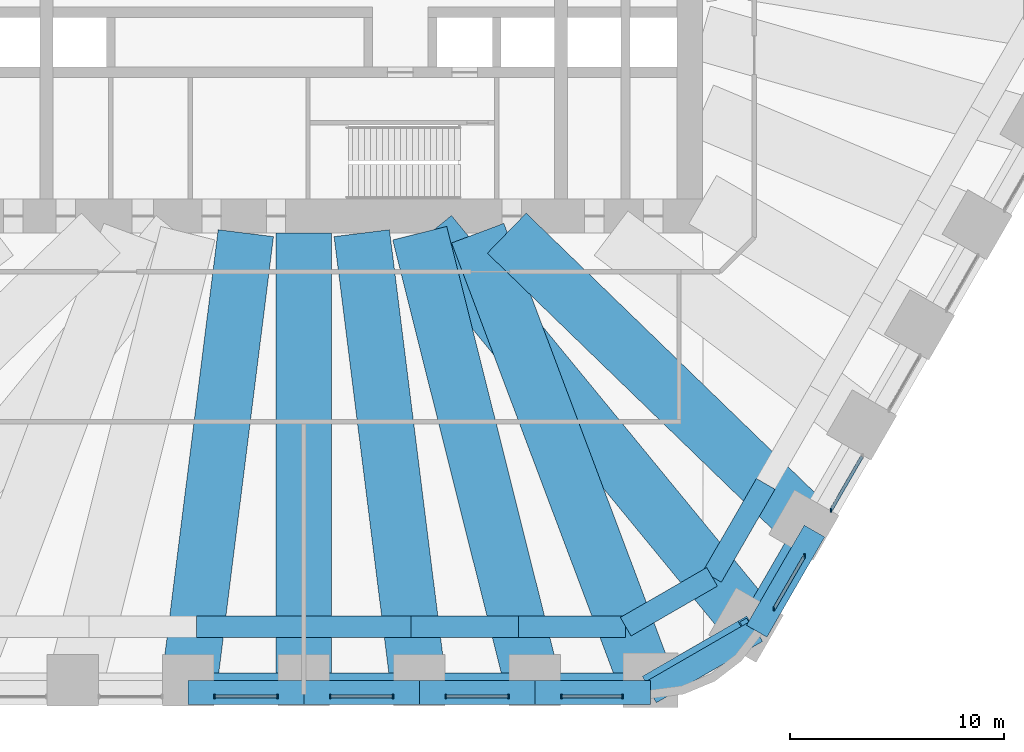
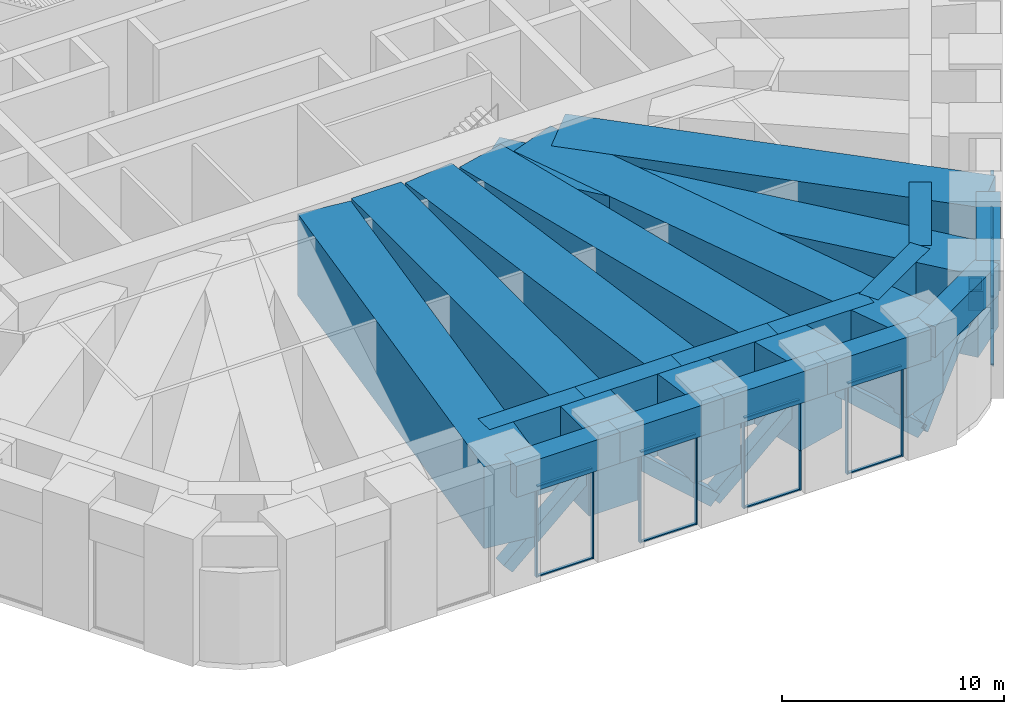
# One storey, part 4 of 17: 29 members, 19 beams, 6 elements without a shape of their own.
"""IFC4 building model written with IfcOpenShell, lengths in metres."""

from ifc_helpers import new_model, si_unit, direction, frame, origin, origin_2d, place, context, subcontext, project, spatial, rectangle, hollow_rectangle, extrude, material, material_profile, profile_set, type_object, element, aggregate, save


model = new_model("IFC4")

# Units and contexts
model_context = context("Model", 3, precision=1e-05, world=origin(), true_north=direction((0.0, 1.0)))
body_context = subcontext(model_context, "Body", "Model", "MODEL_VIEW")
ifc_project = project(units=[si_unit("LENGTHUNIT", "METRE"), si_unit("AREAUNIT", "SQUARE_METRE"), si_unit("VOLUMEUNIT", "CUBIC_METRE"), si_unit("PLANEANGLEUNIT", "RADIAN"), si_unit("MASSUNIT", "GRAM", prefix="KILO")], contexts=[model_context])

# Site, building, storey
site_placement = place(None, origin())
site = spatial("IfcSite", under=ifc_project, at=site_placement, CompositionType="ELEMENT")
building_placement = place(site_placement, origin())
building = spatial("IfcBuilding", under=site, at=building_placement, Name="Tarfa Lantern Tower", CompositionType="ELEMENT")
storey_placement = place(building_placement, frame((0.0, 0.0, 107.5)))
storey = spatial("IfcBuildingStorey", under=building, at=storey_placement, Name="L24", CompositionType="ELEMENT", Elevation=107.5)

# Members
ifc_material_1 = material(Name="Steel S460M", Category="steel")
ifc_material_profile_1 = material_profile(ifc_material_1, hollow_rectangle(XDim=0.699951171875, YDim=0.699951171875, WallThickness=0.080078125, at=origin_2d()), Name="BOX700x700x80")
ifc_profile_set_1 = profile_set([ifc_material_profile_1], Name="Steel S460M")
member_type_1 = type_object("IfcMemberType", Name="BT1 BOX700x700x80", PredefinedType="BRACE", material=ifc_profile_set_1)
for number, where, z_axis, x_axis, name in (
    (1, (-5.388671875, -33.14990234375, 0.60009765625), (0.746729497416, 0.0, 0.665127850634), (0.0, 1.0, 0.0), "Belt truss diagonal 31"),
    (2, (5.388671875, -33.14990234375, 0.60009765625), (-0.746729497416, 0.0, 0.665127850634), (0.0, -1.0, 0.0), "Belt truss diagonal 32"),
):
    element("IfcMember", number, at=place(storey_placement, frame(where, z_axis=z_axis, x_axis=x_axis)), inside=storey, type_object=member_type_1, Name=name, PredefinedType="BRACE", context=body_context, shape_type="SweptSolid", body=[
        extrude(hollow_rectangle(XDim=0.699951171875, YDim=0.699951171875, WallThickness=0.080078125, at=origin_2d()), origin(), (0.0, 0.0, 1.0), 7.21630859375),
    ])
member_1_placement = place(storey_placement, frame((5.388671875, -33.14990234375, 0.60009765625), z_axis=(0.746714529948, 0.0, 0.665144654015), x_axis=(0.0, 1.0, 0.0)))
element("IfcMember", 3, at=member_1_placement, inside=storey, type_object=member_type_1, Name="Belt truss diagonal 33", PredefinedType="BRACE", context=body_context, shape_type="SweptSolid", body=[
    extrude(hollow_rectangle(XDim=0.699951171875, YDim=0.699951171875, WallThickness=0.080078125, at=origin_2d()), origin(), (0.0, 0.0, 1.0), 7.216064453125),
])
member_2_placement = place(storey_placement, frame((16.165771484375, -33.14990234375, 0.60009765625), z_axis=(-0.746729497416, 0.0, 0.665127850634), x_axis=(0.0, -1.0, 0.0)))
element("IfcMember", 4, at=member_2_placement, inside=storey, type_object=member_type_1, Name="Belt truss diagonal 34", PredefinedType="BRACE", context=body_context, shape_type="SweptSolid", body=[
    extrude(hollow_rectangle(XDim=0.699951171875, YDim=0.699951171875, WallThickness=0.080078125, at=origin_2d()), origin(), (0.0, 0.0, 1.0), 7.21630859375),
])
member_3_placement = place(storey_placement, frame((16.165771484375, -33.14990234375, 0.60009765625), z_axis=(0.633529001799, 0.365766935733, 0.681803162654), x_axis=(-0.499998765615, 0.866026116456, 0.0)))
element("IfcMember", 5, at=member_3_placement, inside=storey, type_object=member_type_1, Name="Belt truss diagonal 35", PredefinedType="BRACE", context=body_context, shape_type="SweptSolid", body=[
    extrude(hollow_rectangle(XDim=0.699951171875, YDim=0.699951171875, WallThickness=0.080078125, at=origin_2d()), origin(), (0.0, 0.0, 1.0), 7.039794921875),
])
member_4_placement = place(storey_placement, frame((23.320068359375, -25.908447265625, 0.60009765625), z_axis=(-0.373372204356, -0.64666874901, 0.665141132444), x_axis=(0.866015065331, -0.500017906299, 0.0)))
element("IfcMember", 6, at=member_4_placement, inside=storey, type_object=member_type_1, Name="Belt truss diagonal 36", PredefinedType="BRACE", context=body_context, shape_type="SweptSolid", body=[
    extrude(hollow_rectangle(XDim=0.699951171875, YDim=0.699951171875, WallThickness=0.080078125, at=origin_2d()), origin(), (0.0, 0.0, 1.0), 7.21630859375),
])

# Curtain wall, members
ifc_material_2 = material(Name="Aluminium framed curtain wall", Category="aluminium")
curtain_wall_type = type_object("IfcCurtainWallType", Name="CW6 LOUVRED SCREEN WALL 5000", PredefinedType="USERDEFINED", material=ifc_material_2)
curtain_wall_1_placement = place(storey_placement, origin())
curtain_wall_1 = element("IfcCurtainWall", 7, at=curtain_wall_1_placement, inside=storey, type_object=curtain_wall_type, Name="CW6 S L24", ObjectType="CURTAIN WALL", PredefinedType="USERDEFINED")
ifc_material_3 = material(Name="Aluminium mullion", Category="aluminium")
ifc_material_profile_2 = material_profile(ifc_material_3, rectangle(XDim=0.06494140625, YDim=0.199951171875, at=origin_2d()), Name="AL MULLION 65x200")
ifc_profile_set_2 = profile_set([ifc_material_profile_2], Name="Aluminium mullion")
member_type_2 = type_object("IfcMemberType", Name="CWM1 MULLION 65x200", PredefinedType="MULLION", material=ifc_profile_set_2)
member_5_placement = place(storey_placement, frame((-4.156005859375, -33.89990234375, 0.0), z_axis=(0.0, 0.0, 1.0), x_axis=(1.0, 0.0, 0.0)))
member_5 = element("IfcMember", 8, at=member_5_placement, type_object=member_type_2, Name="CW6 mullion 1", PredefinedType="MULLION", context=body_context, shape_type="SweptSolid", body=[
    extrude(rectangle(XDim=0.06494140625, YDim=0.199951171875, at=origin_2d()), origin(), (0.0, 0.0, 1.0), 5.0),
])
member_6_placement = place(storey_placement, frame((-1.232421875, -33.89990234375, 0.0), z_axis=(0.0, 0.0, 1.0), x_axis=(1.0, 0.0, 0.0)))
member_6 = element("IfcMember", 9, at=member_6_placement, type_object=member_type_2, Name="CW6 mullion 2", PredefinedType="MULLION", context=body_context, shape_type="SweptSolid", body=[
    extrude(rectangle(XDim=0.06494140625, YDim=0.199951171875, at=origin_2d()), origin(), (0.0, 0.0, 1.0), 5.0),
])

curtain_wall_2_placement = place(storey_placement, origin())
curtain_wall_2 = element("IfcCurtainWall", 10, at=curtain_wall_2_placement, inside=storey, type_object=curtain_wall_type, Name="CW6 S L24", ObjectType="CURTAIN WALL", PredefinedType="USERDEFINED")
member_7_placement = place(storey_placement, frame((1.232421875, -33.89990234375, 0.0), z_axis=(0.0, 0.0, 1.0), x_axis=(1.0, 0.0, 0.0)))
member_7 = element("IfcMember", 11, at=member_7_placement, type_object=member_type_2, Name="CW6 mullion 1", PredefinedType="MULLION", context=body_context, shape_type="SweptSolid", body=[
    extrude(rectangle(XDim=0.06494140625, YDim=0.199951171875, at=origin_2d()), origin(), (0.0, 0.0, 1.0), 5.0),
])
member_8_placement = place(storey_placement, frame((4.156005859375, -33.89990234375, 0.0), z_axis=(0.0, 0.0, 1.0), x_axis=(1.0, 0.0, 0.0)))
member_8 = element("IfcMember", 12, at=member_8_placement, type_object=member_type_2, Name="CW6 mullion 2", PredefinedType="MULLION", context=body_context, shape_type="SweptSolid", body=[
    extrude(rectangle(XDim=0.06494140625, YDim=0.199951171875, at=origin_2d()), origin(), (0.0, 0.0, 1.0), 5.0),
])

curtain_wall_3_placement = place(storey_placement, origin())
curtain_wall_3 = element("IfcCurtainWall", 13, at=curtain_wall_3_placement, inside=storey, type_object=curtain_wall_type, Name="CW6 S L24", ObjectType="CURTAIN WALL", PredefinedType="USERDEFINED")
member_9_placement = place(storey_placement, frame((6.62109375, -33.89990234375, 0.0), z_axis=(0.0, 0.0, 1.0), x_axis=(1.0, 0.0, 0.0)))
member_9 = element("IfcMember", 14, at=member_9_placement, type_object=member_type_2, Name="CW6 mullion 1", PredefinedType="MULLION", context=body_context, shape_type="SweptSolid", body=[
    extrude(rectangle(XDim=0.06494140625, YDim=0.199951171875, at=origin_2d()), origin(), (0.0, 0.0, 1.0), 5.0),
])
member_10_placement = place(storey_placement, frame((9.544677734375, -33.89990234375, 0.0), z_axis=(0.0, 0.0, 1.0), x_axis=(1.0, 0.0, 0.0)))
member_10 = element("IfcMember", 15, at=member_10_placement, type_object=member_type_2, Name="CW6 mullion 2", PredefinedType="MULLION", context=body_context, shape_type="SweptSolid", body=[
    extrude(rectangle(XDim=0.06494140625, YDim=0.199951171875, at=origin_2d()), origin(), (0.0, 0.0, 1.0), 5.0),
])

curtain_wall_4_placement = place(storey_placement, origin())
curtain_wall_4 = element("IfcCurtainWall", 16, at=curtain_wall_4_placement, inside=storey, type_object=curtain_wall_type, Name="CW6 S L24", ObjectType="CURTAIN WALL", PredefinedType="USERDEFINED")
member_11_placement = place(storey_placement, frame((12.009765625, -33.89990234375, 0.0), z_axis=(0.0, 0.0, 1.0), x_axis=(1.0, 0.0, 0.0)))
member_11 = element("IfcMember", 17, at=member_11_placement, type_object=member_type_2, Name="CW6 mullion 1", PredefinedType="MULLION", context=body_context, shape_type="SweptSolid", body=[
    extrude(rectangle(XDim=0.06494140625, YDim=0.199951171875, at=origin_2d()), origin(), (0.0, 0.0, 1.0), 5.0),
])
member_12_placement = place(storey_placement, frame((14.8583984375, -33.89990234375, 0.0), z_axis=(0.0, 0.0, 1.0), x_axis=(1.0, 0.0, 0.0)))
member_12 = element("IfcMember", 18, at=member_12_placement, type_object=member_type_2, Name="CW6 mullion 2", PredefinedType="MULLION", context=body_context, shape_type="SweptSolid", body=[
    extrude(rectangle(XDim=0.06494140625, YDim=0.199951171875, at=origin_2d()), origin(), (0.0, 0.0, 1.0), 5.0),
])

curtain_wall_5_placement = place(storey_placement, origin())
curtain_wall_5 = element("IfcCurtainWall", 19, at=curtain_wall_5_placement, inside=storey, type_object=curtain_wall_type, Name="CW6 SE L24", ObjectType="CURTAIN WALL", PredefinedType="USERDEFINED")
member_13_placement = place(storey_placement, frame((21.92919921875, -29.817626953125, 0.0), z_axis=(0.0, 0.0, 1.0), x_axis=(1.0, 0.0, 0.0)))
member_13 = element("IfcMember", 20, at=member_13_placement, type_object=member_type_2, Name="CW6 mullion 1", PredefinedType="MULLION", context=body_context, shape_type="SweptSolid", body=[
    extrude(rectangle(XDim=0.06494140625, YDim=0.199951171875, at=origin_2d()), origin(), (0.0, 0.0, 1.0), 5.0),
])
member_14_placement = place(storey_placement, frame((23.353515625, -27.350830078125, 0.0), z_axis=(0.0, 0.0, 1.0), x_axis=(1.0, 0.0, 0.0)))
member_14 = element("IfcMember", 21, at=member_14_placement, type_object=member_type_2, Name="CW6 mullion 2", PredefinedType="MULLION", context=body_context, shape_type="SweptSolid", body=[
    extrude(rectangle(XDim=0.06494140625, YDim=0.199951171875, at=origin_2d()), origin(), (0.0, 0.0, 1.0), 5.0),
])

# Curtain wall, member
curtain_wall_6_placement = place(storey_placement, origin())
curtain_wall_6 = element("IfcCurtainWall", 22, at=curtain_wall_6_placement, inside=storey, type_object=curtain_wall_type, Name="CW6 SE L24", ObjectType="CURTAIN WALL", PredefinedType="USERDEFINED")
member_15_placement = place(storey_placement, frame((24.5859375, -25.216064453125, 0.0), z_axis=(0.0, 0.0, 1.0), x_axis=(1.0, 0.0, 0.0)))
member_15 = element("IfcMember", 23, at=member_15_placement, type_object=member_type_2, Name="CW6 mullion 1", PredefinedType="MULLION", context=body_context, shape_type="SweptSolid", body=[
    extrude(rectangle(XDim=0.06494140625, YDim=0.199951171875, at=origin_2d()), origin(), (0.0, 0.0, 1.0), 5.0),
])

# Member
ifc_material_4 = material(Name="Aluminium transom", Category="aluminium")
ifc_material_profile_3 = material_profile(ifc_material_4, rectangle(XDim=0.14990234375, YDim=0.06494140625, at=origin_2d()), Name="AL TRANSOM 150x65")
ifc_profile_set_3 = profile_set([ifc_material_profile_3], Name="Aluminium transom")
member_type_3 = type_object("IfcMemberType", Name="CWT1 TRANSOM 150x65", PredefinedType="USERDEFINED", material=ifc_profile_set_3)
member_16_placement = place(storey_placement, frame((-4.12353515625, -33.89990234375, 0.032470703125), z_axis=(1.0, 0.0, 0.0), x_axis=(0.0, 1.0, 0.0)))
member_16 = element("IfcMember", 24, at=member_16_placement, type_object=member_type_3, Name="CW6 transom 1.1", ObjectType="TRANSOM", PredefinedType="USERDEFINED", context=body_context, shape_type="SweptSolid", body=[
    extrude(rectangle(XDim=0.14990234375, YDim=0.06494140625, at=origin_2d()), origin(), (0.0, 0.0, 1.0), 2.858642578125),
])

member_17_placement = place(storey_placement, frame((-4.12353515625, -33.89990234375, 4.967529296875), z_axis=(1.0, 0.0, 0.0), x_axis=(0.0, 1.0, 0.0)))
member_17 = element("IfcMember", 25, at=member_17_placement, type_object=member_type_3, Name="CW6 transom 1.2", ObjectType="TRANSOM", PredefinedType="USERDEFINED", context=body_context, shape_type="SweptSolid", body=[
    extrude(rectangle(XDim=0.14990234375, YDim=0.06494140625, at=origin_2d()), origin(), (0.0, 0.0, 1.0), 2.858642578125),
])

aggregate(curtain_wall_1, [member_5, member_6, member_16, member_17])

member_18_placement = place(storey_placement, frame((1.264892578125, -33.89990234375, 0.032470703125), z_axis=(1.0, 0.0, 0.0), x_axis=(0.0, 1.0, 0.0)))
member_18 = element("IfcMember", 26, at=member_18_placement, type_object=member_type_3, Name="CW6 transom 1.1", ObjectType="TRANSOM", PredefinedType="USERDEFINED", context=body_context, shape_type="SweptSolid", body=[
    extrude(rectangle(XDim=0.14990234375, YDim=0.06494140625, at=origin_2d()), origin(), (0.0, 0.0, 1.0), 2.858642578125),
])

member_19_placement = place(storey_placement, frame((1.264892578125, -33.89990234375, 4.967529296875), z_axis=(1.0, 0.0, 0.0), x_axis=(0.0, 1.0, 0.0)))
member_19 = element("IfcMember", 27, at=member_19_placement, type_object=member_type_3, Name="CW6 transom 1.2", ObjectType="TRANSOM", PredefinedType="USERDEFINED", context=body_context, shape_type="SweptSolid", body=[
    extrude(rectangle(XDim=0.14990234375, YDim=0.06494140625, at=origin_2d()), origin(), (0.0, 0.0, 1.0), 2.858642578125),
])

aggregate(curtain_wall_2, [member_7, member_8, member_18, member_19])

member_20_placement = place(storey_placement, frame((6.653564453125, -33.89990234375, 0.032470703125), z_axis=(1.0, 0.0, 0.0), x_axis=(0.0, 1.0, 0.0)))
member_20 = element("IfcMember", 28, at=member_20_placement, type_object=member_type_3, Name="CW6 transom 1.1", ObjectType="TRANSOM", PredefinedType="USERDEFINED", context=body_context, shape_type="SweptSolid", body=[
    extrude(rectangle(XDim=0.14990234375, YDim=0.06494140625, at=origin_2d()), origin(), (0.0, 0.0, 1.0), 2.858642578125),
])

member_21_placement = place(storey_placement, frame((6.653564453125, -33.89990234375, 4.967529296875), z_axis=(1.0, 0.0, 0.0), x_axis=(0.0, 1.0, 0.0)))
member_21 = element("IfcMember", 29, at=member_21_placement, type_object=member_type_3, Name="CW6 transom 1.2", ObjectType="TRANSOM", PredefinedType="USERDEFINED", context=body_context, shape_type="SweptSolid", body=[
    extrude(rectangle(XDim=0.14990234375, YDim=0.06494140625, at=origin_2d()), origin(), (0.0, 0.0, 1.0), 2.858642578125),
])

aggregate(curtain_wall_3, [member_9, member_10, member_20, member_21])

member_22_placement = place(storey_placement, frame((12.042236328125, -33.89990234375, 0.032470703125), z_axis=(1.0, 0.0, 0.0), x_axis=(0.0, 1.0, 0.0)))
member_22 = element("IfcMember", 30, at=member_22_placement, type_object=member_type_3, Name="CW6 transom 1.1", ObjectType="TRANSOM", PredefinedType="USERDEFINED", context=body_context, shape_type="SweptSolid", body=[
    extrude(rectangle(XDim=0.14990234375, YDim=0.06494140625, at=origin_2d()), origin(), (0.0, 0.0, 1.0), 2.78369140625),
])

member_23_placement = place(storey_placement, frame((12.042236328125, -33.89990234375, 4.967529296875), z_axis=(1.0, 0.0, 0.0), x_axis=(0.0, 1.0, 0.0)))
member_23 = element("IfcMember", 31, at=member_23_placement, type_object=member_type_3, Name="CW6 transom 1.2", ObjectType="TRANSOM", PredefinedType="USERDEFINED", context=body_context, shape_type="SweptSolid", body=[
    extrude(rectangle(XDim=0.14990234375, YDim=0.06494140625, at=origin_2d()), origin(), (0.0, 0.0, 1.0), 2.78369140625),
])

aggregate(curtain_wall_4, [member_11, member_12, member_22, member_23])

member_24_placement = place(storey_placement, frame((21.9453125, -29.78955078125, 0.032470703125), z_axis=(0.500016013541, 0.866016158165, 0.0), x_axis=(-0.866016158165, 0.500016013541, 0.0)))
member_24 = element("IfcMember", 32, at=member_24_placement, type_object=member_type_3, Name="CW6 transom 1.1", ObjectType="TRANSOM", PredefinedType="USERDEFINED", context=body_context, shape_type="SweptSolid", body=[
    extrude(rectangle(XDim=0.14990234375, YDim=0.06494140625, at=origin_2d()), origin(), (0.0, 0.0, 1.0), 2.78369140625),
])

member_25_placement = place(storey_placement, frame((21.9453125, -29.78955078125, 4.967529296875), z_axis=(0.500016013541, 0.866016158165, 0.0), x_axis=(-0.866016158165, 0.500016013541, 0.0)))
member_25 = element("IfcMember", 33, at=member_25_placement, type_object=member_type_3, Name="CW6 transom 1.2", ObjectType="TRANSOM", PredefinedType="USERDEFINED", context=body_context, shape_type="SweptSolid", body=[
    extrude(rectangle(XDim=0.14990234375, YDim=0.06494140625, at=origin_2d()), origin(), (0.0, 0.0, 1.0), 2.78369140625),
])

aggregate(curtain_wall_5, [member_13, member_14, member_24, member_25])

member_26_placement = place(storey_placement, frame((24.60205078125, -25.187744140625, 0.032470703125), z_axis=(0.500042804318, 0.866000689289, 0.0), x_axis=(-0.866000689289, 0.500042804318, 0.0)))
member_26 = element("IfcMember", 34, at=member_26_placement, type_object=member_type_3, Name="CW6 transom 1.1", ObjectType="TRANSOM", PredefinedType="USERDEFINED", context=body_context, shape_type="SweptSolid", body=[
    extrude(rectangle(XDim=0.14990234375, YDim=0.06494140625, at=origin_2d()), origin(), (0.0, 0.0, 1.0), 2.858642578125),
])

member_27_placement = place(storey_placement, frame((24.60205078125, -25.187744140625, 4.967529296875), z_axis=(0.500042804318, 0.866000689289, 0.0), x_axis=(-0.866000689289, 0.500042804318, 0.0)))
member_27 = element("IfcMember", 35, at=member_27_placement, type_object=member_type_3, Name="CW6 transom 1.2", ObjectType="TRANSOM", PredefinedType="USERDEFINED", context=body_context, shape_type="SweptSolid", body=[
    extrude(rectangle(XDim=0.14990234375, YDim=0.06494140625, at=origin_2d()), origin(), (0.0, 0.0, 1.0), 2.858642578125),
])

aggregate(curtain_wall_6, [member_15, member_26, member_27])

# Beams
ifc_material_5 = material(Name="Concrete C80/95", Category="concrete")
ifc_material_profile_4 = material_profile(ifc_material_5, rectangle(XDim=1.10009765625, YDim=1.699951171875, at=origin_2d()), Name="RC 1100x1700")
ifc_profile_set_4 = profile_set([ifc_material_profile_4], Name="Concrete C80/95")
beam_type_1 = type_object("IfcBeamType", Name="RB1 RC 1100x1700", PredefinedType="BEAM", material=ifc_profile_set_4)
for number, where, z_axis, x_axis, name in (
    (36, (-5.388671875, -33.719970703125, 5.85009765625), (1.0, 0.0, 0.0), (0.0, 1.0, 0.0), "Edge beam S2"),
    (37, (0.0, -33.719970703125, 5.85009765625), (1.0, 0.0, 0.0), (0.0, 1.0, 0.0), "Edge beam S3"),
):
    element("IfcBeam", number, at=place(storey_placement, frame(where, z_axis=z_axis, x_axis=x_axis)), inside=storey, type_object=beam_type_1, Name=name, PredefinedType="BEAM", context=body_context, shape_type="SweptSolid", body=[
        extrude(rectangle(XDim=1.10009765625, YDim=1.699951171875, at=origin_2d()), origin(), (0.0, 0.0, 1.0), 5.388671875),
    ])
beam_1_placement = place(storey_placement, frame((5.388671875, -33.719970703125, 5.85009765625), z_axis=(1.0, 0.0, 0.0), x_axis=(0.0, 1.0, 0.0)))
element("IfcBeam", 38, at=beam_1_placement, inside=storey, type_object=beam_type_1, Name="Edge beam S4", PredefinedType="BEAM", context=body_context, shape_type="SweptSolid", body=[
    extrude(rectangle(XDim=1.10009765625, YDim=1.699951171875, at=origin_2d()), origin(), (0.0, 0.0, 1.0), 5.388427734375),
])
beam_2_placement = place(storey_placement, frame((10.777099609375, -33.719970703125, 5.85009765625), z_axis=(1.0, 0.0, 0.0), x_axis=(0.0, 1.0, 0.0)))
element("IfcBeam", 39, at=beam_2_placement, inside=storey, type_object=beam_type_1, Name="Edge beam S5", PredefinedType="BEAM", context=body_context, shape_type="SweptSolid", body=[
    extrude(rectangle(XDim=1.10009765625, YDim=1.699951171875, at=origin_2d()), origin(), (0.0, 0.0, 1.0), 5.388671875),
])
beam_3_placement = place(storey_placement, frame((16.165771484375, -33.719970703125, 5.85009765625), z_axis=(0.866033479681, 0.499986011877, 0.0), x_axis=(-0.499986011877, 0.866033479681, 0.0)))
element("IfcBeam", 40, at=beam_3_placement, inside=storey, type_object=beam_type_1, Name="Edge beam S6", PredefinedType="BEAM", context=body_context, shape_type="SweptSolid", body=[
    extrude(rectangle(XDim=1.10009765625, YDim=1.699951171875, at=origin_2d()), origin(), (0.0, 0.0, 1.0), 5.719970703125),
])
beam_4_placement = place(storey_placement, frame((21.119384765625, -30.860107421875, 5.85009765625), z_axis=(0.499998287579, 0.866026392449, 0.0), x_axis=(-0.866026392449, 0.499998287579, 0.0)))
element("IfcBeam", 41, at=beam_4_placement, inside=storey, type_object=beam_type_1, Name="Edge beam SE0", PredefinedType="BEAM", context=body_context, shape_type="SweptSolid", body=[
    extrude(rectangle(XDim=1.10009765625, YDim=1.699951171875, at=origin_2d()), origin(), (0.0, 0.0, 1.0), 5.388671875),
])
ifc_material_profile_5 = material_profile(ifc_material_5, rectangle(XDim=1.0, YDim=4.5, at=origin_2d()), Name="RC 1000x4500")
ifc_profile_set_5 = profile_set([ifc_material_profile_5], Name="Concrete C80/95")
beam_type_2 = type_object("IfcBeamType", Name="RG1 RC 1000x4500", PredefinedType="BEAM", material=ifc_profile_set_5)
for number, where, z_axis, x_axis, name in (
    (42, (-5.003662109375, -30.64990234375, 4.449951171875), (1.0, 0.0, 0.0), (0.0, 1.0, 0.0), "Ring girder S2"),
    (43, (0.0, -30.64990234375, 4.449951171875), (1.0, 0.0, 0.0), (0.0, 1.0, 0.0), "Ring girder S3"),
    (44, (5.003662109375, -30.64990234375, 4.449951171875), (1.0, 0.0, 0.0), (0.0, 1.0, 0.0), "Ring girder S4"),
    (45, (10.00732421875, -30.64990234375, 4.449951171875), (1.0, 0.0, 0.0), (0.0, 1.0, 0.0), "Ring girder S5"),
):
    element("IfcBeam", number, at=place(storey_placement, frame(where, z_axis=z_axis, x_axis=x_axis)), inside=storey, type_object=beam_type_2, Name=name, PredefinedType="BEAM", context=body_context, shape_type="SweptSolid", body=[
        extrude(rectangle(XDim=1.0, YDim=4.5, at=origin_2d()), origin(), (0.0, 0.0, 1.0), 5.003662109375),
    ])
beam_5_placement = place(storey_placement, frame((15.010986328125, -30.64990234375, 4.449951171875), z_axis=(0.866034331223, 0.499984536904, 0.0), x_axis=(-0.499984536904, 0.866034331223, 0.0)))
element("IfcBeam", 46, at=beam_5_placement, inside=storey, type_object=beam_type_2, Name="Ring girder S6", PredefinedType="BEAM", context=body_context, shape_type="SweptSolid", body=[
    extrude(rectangle(XDim=1.0, YDim=4.5, at=origin_2d()), origin(), (0.0, 0.0, 1.0), 4.650146484375),
])
beam_6_placement = place(storey_placement, frame((19.0380859375, -28.324951171875, 4.449951171875), z_axis=(0.500022324899, 0.866012514114, 0.0), x_axis=(-0.866012514114, 0.500022324899, 0.0)))
element("IfcBeam", 47, at=beam_6_placement, inside=storey, type_object=beam_type_2, Name="Ring girder SE0", PredefinedType="BEAM", context=body_context, shape_type="SweptSolid", body=[
    extrude(rectangle(XDim=1.0, YDim=4.5, at=origin_2d()), origin(), (0.0, 0.0, 1.0), 5.003662109375),
])
ifc_material_profile_6 = material_profile(ifc_material_5, rectangle(XDim=2.60009765625, YDim=4.5, at=origin_2d()), Name="RC 2600x4500")
ifc_profile_set_6 = profile_set([ifc_material_profile_6], Name="Concrete C80/95")
beam_type_3 = type_object("IfcBeamType", Name="TG1 RC 2600x4500", PredefinedType="BEAM", material=ifc_profile_set_6)
beam_7_placement = place(storey_placement, frame((-5.388671875, -33.719970703125, 4.449951171875), z_axis=(0.124402191018, 0.992231875556, 0.0), x_axis=(-0.992231875556, 0.124402191018, 0.0)))
element("IfcBeam", 48, at=beam_7_placement, inside=storey, type_object=beam_type_3, Name="Transfer girder S2", PredefinedType="BEAM", context=body_context, shape_type="SweptSolid", body=[
    extrude(rectangle(XDim=2.60009765625, YDim=4.5, at=origin_2d()), origin(), (0.0, 0.0, 1.0), 21.587646484375),
])
beam_8_placement = place(storey_placement, frame((0.0, -33.719970703125, 4.449951171875), z_axis=(0.0, 1.0, 0.0), x_axis=(-1.0, 0.0, 0.0)))
element("IfcBeam", 49, at=beam_8_placement, inside=storey, type_object=beam_type_3, Name="Transfer girder S3", PredefinedType="BEAM", context=body_context, shape_type="SweptSolid", body=[
    extrude(rectangle(XDim=2.60009765625, YDim=4.5, at=origin_2d()), origin(), (0.0, 0.0, 1.0), 21.419921875),
])
beam_9_placement = place(storey_placement, frame((5.388671875, -33.719970703125, 4.449951171875), z_axis=(-0.124402191018, 0.992231875556, 0.0), x_axis=(-0.992231875556, -0.124402191018, 0.0)))
element("IfcBeam", 50, at=beam_9_placement, inside=storey, type_object=beam_type_3, Name="Transfer girder S4", PredefinedType="BEAM", context=body_context, shape_type="SweptSolid", body=[
    extrude(rectangle(XDim=2.60009765625, YDim=4.5, at=origin_2d()), origin(), (0.0, 0.0, 1.0), 21.587646484375),
])
beam_10_placement = place(storey_placement, frame((10.777099609375, -33.719970703125, 4.449951171875), z_axis=(-0.243211908028, 0.969973178904, 0.0), x_axis=(-0.969973178904, -0.243211908028, 0.0)))
element("IfcBeam", 51, at=beam_10_placement, inside=storey, type_object=beam_type_3, Name="Transfer girder S5", PredefinedType="BEAM", context=body_context, shape_type="SweptSolid", body=[
    extrude(rectangle(XDim=2.60009765625, YDim=4.5, at=origin_2d()), origin(), (0.0, 0.0, 1.0), 22.0830078125),
])
beam_11_placement = place(storey_placement, frame((16.165771484375, -33.719970703125, 4.449951171875), z_axis=(-0.352049207544, 0.935981493123, 0.0), x_axis=(-0.935981493123, -0.352049207544, 0.0)))
element("IfcBeam", 52, at=beam_11_placement, inside=storey, type_object=beam_type_3, Name="Transfer girder S6", PredefinedType="BEAM", context=body_context, shape_type="SweptSolid", body=[
    extrude(rectangle(XDim=2.60009765625, YDim=4.5, at=origin_2d()), origin(), (0.0, 0.0, 1.0), 22.885009765625),
])
beam_12_placement = place(storey_placement, frame((21.119384765625, -30.860107421875, 4.449951171875), z_axis=(-0.634559460716, 0.772874045894, 0.0), x_axis=(-0.772874045894, -0.634559460716, 0.0)))
element("IfcBeam", 53, at=beam_12_placement, inside=storey, type_object=beam_type_3, Name="Transfer girder SE0", PredefinedType="BEAM", context=body_context, shape_type="SweptSolid", body=[
    extrude(rectangle(XDim=2.60009765625, YDim=4.5, at=origin_2d()), origin(), (0.0, 0.0, 1.0), 24.014404296875),
])
beam_13_placement = place(storey_placement, frame((23.813720703125, -26.193359375, 4.449951171875), z_axis=(-0.718407622494, 0.695622374526, 0.0), x_axis=(-0.695622374526, -0.718407622494, 0.0)))
element("IfcBeam", 54, at=beam_13_placement, inside=storey, type_object=beam_type_3, Name="Transfer girder SE1", PredefinedType="BEAM", context=body_context, shape_type="SweptSolid", body=[
    extrude(rectangle(XDim=2.60009765625, YDim=4.5, at=origin_2d()), origin(), (0.0, 0.0, 1.0), 19.972412109375),
])

save(model, "model.ifc")
